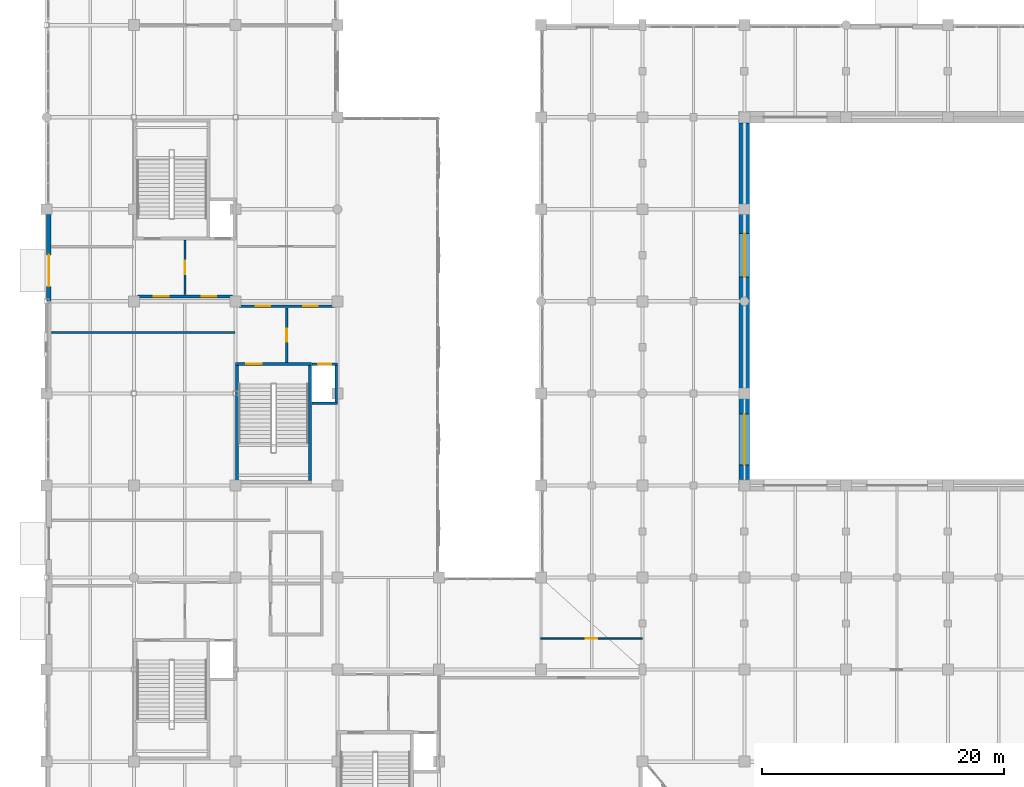
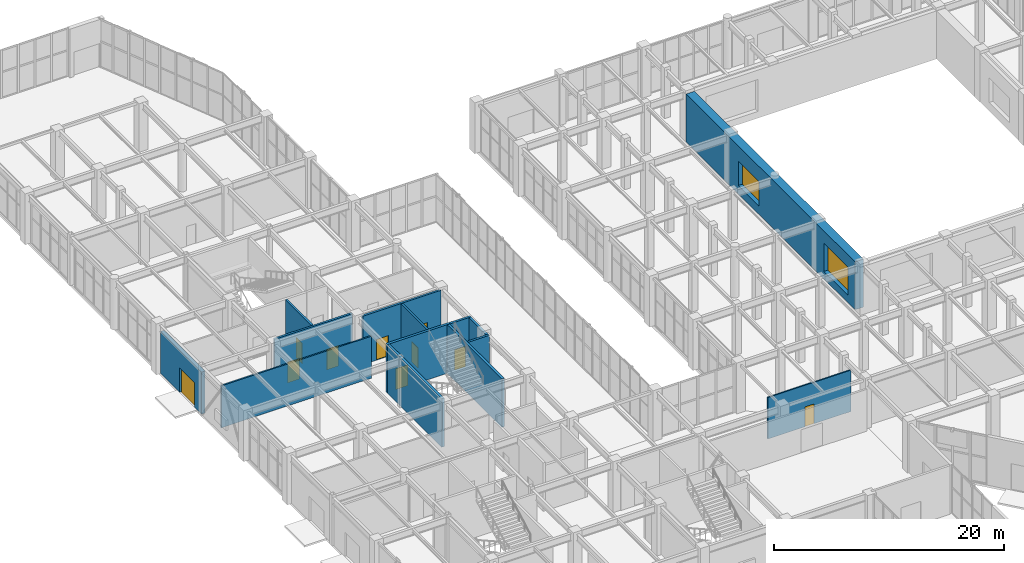
# One storey, part 120 of 139: 14 walls, 10 doors, 2 windows, 12 openings.
"""IFC4 building model written with IfcOpenShell, lengths in metres."""

from ifc_helpers import new_model, si_unit, direction, frame, frame_2d, origin, place, context, subcontext, project, spatial, rectangle, extrude, material, layer, layer_set, type_object, element, fill, save


model = new_model("IFC4")

# Units and contexts
model_context = context("Model", 3, precision=1e-05, world=origin(), true_north=direction((0.0, 1.0)))
body_context = subcontext(model_context, "Body", "Model", "MODEL_VIEW")
ifc_project = project(units=[si_unit("LENGTHUNIT", "METRE"), si_unit("AREAUNIT", "SQUARE_METRE"), si_unit("VOLUMEUNIT", "CUBIC_METRE"), si_unit("PLANEANGLEUNIT", "RADIAN"), si_unit("MASSUNIT", "GRAM", prefix="KILO")], contexts=[model_context])

# Site, building, storey
site_placement = place(None, origin())
site = spatial("IfcSite", under=ifc_project, at=site_placement, CompositionType="ELEMENT")
building_placement = place(site_placement, origin())
building = spatial("IfcBuilding", under=site, at=building_placement, Name="Xicomal Pleat Aquarium", CompositionType="ELEMENT")
storey_placement = place(building_placement, origin())
storey = spatial("IfcBuildingStorey", under=building, at=storey_placement, Name="L01", CompositionType="ELEMENT", Elevation=0.0)

# Wall
ifc_material_1 = material(Name="Concrete C40/50", Category="concrete")
ifc_layer_1 = layer(ifc_material_1, 0.219970703125)
ifc_layer_set_1 = layer_set([ifc_layer_1], Name="Concrete C40/50")
wall_type_1 = type_object("IfcWallType", Name="WAL-COR-220", PredefinedType="SHEAR", material=ifc_layer_set_1)
wall_1_placement = place(storey_placement, frame((24.89990234375, 52.389892578125, 0.0), z_axis=(0.0, 0.0, 1.0), x_axis=(1.0, 0.0, 0.0)))
element("IfcWall", 1, at=wall_1_placement, inside=storey, type_object=wall_type_1, Name="L01 LF-04 lift shaft wall CW-L01-C4-LS", PredefinedType="SHEAR", context=body_context, shape_type="SweptSolid", body=[
    extrude(rectangle(XDim=2.1201171875, YDim=0.219970703125, at=frame_2d((1.06005859375, 0.0))), origin(), (0.0, 0.0, 1.0), 5.159912109375),
])

# Wall, opening, door
wall_2_placement = place(storey_placement, frame((24.89990234375, 55.610107421875, 0.0), z_axis=(0.0, 0.0, 1.0), x_axis=(1.0, 0.0, 0.0)))
wall_2 = element("IfcWall", 2, at=wall_2_placement, inside=storey, type_object=wall_type_1, Name="L01 LF-04 lift shaft wall CW-L01-C4-LN", PredefinedType="SHEAR", context=body_context, shape_type="SweptSolid", body=[
    extrude(rectangle(XDim=2.1201171875, YDim=0.219970703125, at=frame_2d((1.06005859375, 0.0))), origin(), (0.0, 0.0, 1.0), 5.159912109375),
])
opening_1_placement = place(wall_2_placement, frame((0.510009765625, 0.0, 0.0)))
opening_1 = element("IfcOpeningElement", 3, at=opening_1_placement, cuts=wall_2, Name="Opening LD-04-L01", PredefinedType="OPENING", context=body_context, shape_type="SweptSolid", body=[
    extrude(rectangle(XDim=1.10009765625, YDim=2.14990234375, at=frame_2d((0.550048828125, 1.074951171875))), frame((0.0, 0.119873046875, 0.0), z_axis=(0.0, -1.0, 0.0), x_axis=(1.0, 0.0, 0.0)), (0.0, 0.0, 1.0), 0.239990234375),
])
ifc_material_2 = material(Name="Brushed stainless steel 304", Category="steel")
door_type_1 = type_object("IfcDoorType", Name="DOR-LD-1100x2150", OperationType="DOUBLE_DOOR_SLIDING", PredefinedType="DOOR", material=ifc_material_2)
door_1_placement = place(opening_1_placement, origin())
door_1 = element("IfcDoor", 4, at=door_1_placement, inside=storey, type_object=door_type_1, Name="L01 LF-04 sliding lift landing door", OperationType="DOUBLE_DOOR_SLIDING", OverallHeight=2.14990234375, OverallWidth=1.10009765625, PredefinedType="DOOR", context=body_context, shape_type="SweptSolid", body=[
    extrude(rectangle(XDim=1.10009765625, YDim=2.14990234375, at=frame_2d((0.550048828125, 1.074951171875))), frame((0.0, 0.02490234375, 0.0), z_axis=(0.0, -1.0, 0.0), x_axis=(1.0, 0.0, 0.0)), (0.0, 0.0, 1.0), 0.050048828125),
])
fill(opening_1, door_1)

# Wall
wall_3_placement = place(storey_placement, frame((26.909912109375, 52.5, 0.0), z_axis=(0.0, 0.0, 1.0), x_axis=(0.0, 1.0, 0.0)))
element("IfcWall", 5, at=wall_3_placement, inside=storey, type_object=wall_type_1, Name="L01 LF-04 lift shaft wall CW-L01-C4-LE", PredefinedType="SHEAR", context=body_context, shape_type="SweptSolid", body=[
    extrude(rectangle(XDim=3.0, YDim=0.219970703125, at=frame_2d((1.5, 0.0))), origin(), (0.0, 0.0, 1.0), 5.159912109375),
])

# Wall, opening, door
ifc_material_3 = material(Name="Concrete C40/50", Category="concrete")
ifc_layer_2 = layer(ifc_material_3, 0.25)
ifc_layer_set_2 = layer_set([ifc_layer_2], Name="Concrete C40/50")
wall_type_2 = type_object("IfcWallType", Name="WAL-COR-250", PredefinedType="SHEAR", material=ifc_layer_set_2)
wall_4_placement = place(storey_placement, frame((18.590087890625, 55.625, 0.0), z_axis=(0.0, 0.0, 1.0), x_axis=(1.0, 0.0, 0.0)))
wall_4 = element("IfcWall", 6, at=wall_4_placement, inside=storey, type_object=wall_type_2, Name="L01 CORE-4 stair shear wall CW-L01-C4-SN", PredefinedType="SHEAR", context=body_context, shape_type="SweptSolid", body=[
    extrude(rectangle(XDim=6.280029296875, YDim=0.25, at=frame_2d((3.14013671875, 0.0))), origin(), (0.0, 0.0, 1.0), 5.159912109375),
])
opening_2_placement = place(wall_4_placement, frame((0.89990234375, 0.0, 0.0)))
opening_2 = element("IfcOpeningElement", 7, at=opening_2_placement, cuts=wall_4, Name="Opening SD-04-L01", PredefinedType="OPENING", context=body_context, shape_type="SweptSolid", body=[
    extrude(rectangle(XDim=1.25, YDim=2.199951171875, at=frame_2d((0.625, 1.10009765625))), frame((0.0, 0.135009765625, 0.0), z_axis=(0.0, -1.0, 0.0), x_axis=(1.0, 0.0, 0.0)), (0.0, 0.0, 1.0), 0.27001953125),
])
ifc_material_4 = material(Name="Powder-coated steel fire door", Category="steel")
door_type_2 = type_object("IfcDoorType", Name="DOR-ST-1250x2200", OperationType="NOTDEFINED", PredefinedType="DOOR", material=ifc_material_4)
door_2_placement = place(opening_2_placement, origin())
door_2 = element("IfcDoor", 8, at=door_2_placement, inside=storey, type_object=door_type_2, Name="L01 ST-04 protected stair door", OperationType="SINGLE_SWING_RIGHT", OverallHeight=2.199951171875, OverallWidth=1.25, PredefinedType="DOOR", context=body_context, shape_type="SweptSolid", body=[
    extrude(rectangle(XDim=1.25, YDim=2.199951171875, at=frame_2d((0.625, 1.10009765625))), frame((0.0, 0.02490234375, 0.0), z_axis=(0.0, -1.0, 0.0), x_axis=(1.0, 0.0, 0.0)), (0.0, 0.0, 1.0), 0.050048828125),
])
fill(opening_2, door_2)

# Walls
for number, where, z_axis, x_axis, name in (
    (9, (18.715087890625, 46.0, 0.0), (0.0, 0.0, 1.0), (0.0, 1.0, 0.0), "L01 CORE-4 stair shear wall CW-L01-C4-SW"),
    (10, (24.7451171875, 46.0, 0.0), (0.0, 0.0, 1.0), (0.0, 1.0, 0.0), "L01 CORE-4 stair shear wall CW-L01-C4-SE"),
):
    element("IfcWall", number, at=place(storey_placement, frame(where, z_axis=z_axis, x_axis=x_axis)), inside=storey, type_object=wall_type_2, Name=name, PredefinedType="SHEAR", context=body_context, shape_type="SweptSolid", body=[
        extrude(rectangle(XDim=9.5, YDim=0.25, at=frame_2d((4.75, 0.0))), origin(), (0.0, 0.0, 1.0), 5.159912109375),
    ])

# Wall, opening, door
ifc_material_5 = material(Name="Volcanic basalt recinto masonry and concrete C40/50", Category="masonry")
ifc_layer_3 = layer(ifc_material_5, 0.364990234375)
ifc_layer_set_3 = layer_set([ifc_layer_3], Name="Volcanic basalt recinto masonry and concrete C40/50")
wall_type_3 = type_object("IfcWallType", Name="WAL-EXT-BAS-365", PredefinedType="SOLIDWALL", material=ifc_layer_set_3)
wall_5_placement = place(storey_placement, frame((3.18310546875, 60.820068359375, 0.0), z_axis=(0.0, 0.0, 1.0), x_axis=(0.0, 1.0, 0.0)))
wall_5 = element("IfcWall", 11, at=wall_5_placement, inside=storey, type_object=wall_type_3, Name="L01 exterior basalt-precast wall EW-L01-029", PredefinedType="SOLIDWALL", context=body_context, shape_type="SweptSolid", body=[
    extrude(rectangle(XDim=7.14501953125, YDim=0.364990234375, at=frame_2d((3.572509765625, 0.0))), origin(), (0.0, 0.0, 1.0), 4.4619140625),
])
opening_3_placement = place(wall_5_placement, frame((1.215087890625, 0.0, 0.0)))
opening_3 = element("IfcOpeningElement", 12, at=opening_3_placement, cuts=wall_5, Name="Opening EX-01", PredefinedType="OPENING", context=body_context, shape_type="SweptSolid", body=[
    extrude(rectangle(XDim=2.60009765625, YDim=2.60009765625, at=frame_2d((1.300048828125, 1.300048828125))), frame((0.0, 0.1923828125, 0.0), z_axis=(0.0, -1.0, 0.0), x_axis=(1.0, 0.0, 0.0)), (0.0, 0.0, 1.0), 0.385009765625),
])
ifc_material_6 = material(Name="Bronze anodized aluminium and laminated safety glass", Category="aluminium")
door_type_3 = type_object("IfcDoorType", Name="DOR-EX-2600x2600", OperationType="DOUBLE_DOOR_SINGLE_SWING", PredefinedType="DOOR", material=ifc_material_6)
door_3_placement = place(opening_3_placement, origin())
door_3 = element("IfcDoor", 13, at=door_3_placement, inside=storey, type_object=door_type_3, Name="Ground floor pedestrian final exit door EX-01", OperationType="DOUBLE_DOOR_SINGLE_SWING", OverallHeight=2.60009765625, OverallWidth=2.60009765625, PredefinedType="DOOR", context=body_context, shape_type="SweptSolid", body=[
    extrude(rectangle(XDim=2.60009765625, YDim=2.60009765625, at=frame_2d((1.300048828125, 1.300048828125))), frame((0.0, 0.02490234375, 0.0), z_axis=(0.0, -1.0, 0.0), x_axis=(1.0, 0.0, 0.0)), (0.0, 0.0, 1.0), 0.050048828125),
])
fill(opening_3, door_3)

ifc_material_7 = material(Name="Acoustic double-stud drywall partition", Category="gypsum")
ifc_layer_4 = layer(ifc_material_7, 0.132080078125)
ifc_layer_set_4 = layer_set([ifc_layer_4], Name="Acoustic double-stud drywall partition")
wall_type_4 = type_object("IfcWallType", Name="WAL-PRT-132", PredefinedType="PARTITIONING", material=ifc_layer_set_4)
wall_6_placement = place(storey_placement, frame((43.800048828125, 32.969970703125, 0.0), z_axis=(0.0, 0.0, 1.0), x_axis=(1.0, 0.0, 0.0)))
wall_6 = element("IfcWall", 14, at=wall_6_placement, inside=storey, type_object=wall_type_4, Name="L01 interior partition PT-L01-030", PredefinedType="PARTITIONING", context=body_context, shape_type="SweptSolid", body=[
    extrude(rectangle(XDim=8.3798828125, YDim=0.132080078125, at=frame_2d((4.18994140625, 0.0))), origin(), (0.0, 0.0, 1.0), 4.402099609375),
])
opening_4_placement = place(wall_6_placement, frame((3.715087890625, 0.0, 0.0)))
opening_4 = element("IfcOpeningElement", 15, at=opening_4_placement, cuts=wall_6, Name="Opening DR-L01-014", PredefinedType="OPENING", context=body_context, shape_type="SweptSolid", body=[
    extrude(rectangle(XDim=0.949951171875, YDim=2.10009765625, at=frame_2d((0.47509765625, 1.050048828125))), frame((0.0, 0.075927734375, 0.0), z_axis=(0.0, -1.0, 0.0), x_axis=(1.0, 0.0, 0.0)), (0.0, 0.0, 1.0), 0.152099609375),
])
ifc_material_8 = material(Name="Solid-core hardwood and anodized aluminium frame", Category="wood")
door_type_4 = type_object("IfcDoorType", Name="DOR-WC-0950x2100", OperationType="NOTDEFINED", PredefinedType="DOOR", material=ifc_material_8)
door_4_placement = place(opening_4_placement, origin())
door_4 = element("IfcDoor", 16, at=door_4_placement, inside=storey, type_object=door_type_4, Name="L01 Main Ocean Tank Viewing Gallery door DR-L01-014", OperationType="SINGLE_SWING_RIGHT", OverallHeight=2.10009765625, OverallWidth=0.949951171875, PredefinedType="DOOR", context=body_context, shape_type="SweptSolid", body=[
    extrude(rectangle(XDim=0.949951171875, YDim=2.10009765625, at=frame_2d((0.47509765625, 1.050048828125))), frame((0.0, 0.02490234375, 0.0), z_axis=(0.0, -1.0, 0.0), x_axis=(1.0, 0.0, 0.0)), (0.0, 0.0, 1.0), 0.050048828125),
])
fill(opening_4, door_4)

# Wall
ifc_material_9 = material(Name="Water-resistant cement-board wet-lab partition", Category="gypsum")
ifc_layer_5 = layer(ifc_material_9, 0.14990234375)
ifc_layer_set_5 = layer_set([ifc_layer_5], Name="Water-resistant cement-board wet-lab partition")
wall_type_5 = type_object("IfcWallType", Name="WAL-PRT-150", PredefinedType="PARTITIONING", material=ifc_layer_set_5)
wall_7_placement = place(storey_placement, frame((18.5400390625, 58.22998046875, 0.0), z_axis=(0.0, 0.0, 1.0), x_axis=(-1.0, 0.0, 0.0)))
element("IfcWall", 17, at=wall_7_placement, inside=storey, type_object=wall_type_5, Name="L01 interior partition PT-L01-027", PredefinedType="PARTITIONING", context=body_context, shape_type="SweptSolid", body=[
    extrude(rectangle(XDim=15.10009765625, YDim=0.14990234375, at=frame_2d((7.550048828125, 0.0))), origin(), (0.0, 0.0, 1.0), 4.4619140625),
])

# Wall, opening, door
ifc_material_10 = material(Name="Acoustic double-stud drywall partition", Category="gypsum")
ifc_layer_6 = layer(ifc_material_10, 0.195068359375)
ifc_layer_set_6 = layer_set([ifc_layer_6], Name="Acoustic double-stud drywall partition")
wall_type_6 = type_object("IfcWallType", Name="WAL-PRT-195", PredefinedType="PARTITIONING", material=ifc_layer_set_6)
wall_8_placement = place(storey_placement, frame((14.425048828125, 61.35009765625, 0.0), z_axis=(0.0, 0.0, 1.0), x_axis=(0.0, 1.0, 0.0)))
wall_8 = element("IfcWall", 18, at=wall_8_placement, inside=storey, type_object=wall_type_6, Name="L01 firefighting lobby smoke divider 3", PredefinedType="PARTITIONING", context=body_context, shape_type="SweptSolid", body=[
    extrude(rectangle(XDim=4.5, YDim=0.195068359375, at=frame_2d((2.25, 0.0))), origin(), (0.0, 0.0, 1.0), 5.159912109375),
])
opening_5_placement = place(wall_8_placement, frame((1.699951171875, 0.0, 0.0)))
opening_5 = element("IfcOpeningElement", 19, at=opening_5_placement, cuts=wall_8, Name="Opening FD-03C-L01", PredefinedType="OPENING", context=body_context, shape_type="SweptSolid", body=[
    extrude(rectangle(XDim=1.10009765625, YDim=2.14990234375, at=frame_2d((0.550048828125, 1.074951171875))), frame((0.0, 0.107421875, 0.0), z_axis=(0.0, -1.0, 0.0), x_axis=(1.0, 0.0, 0.0)), (0.0, 0.0, 1.0), 0.215087890625),
])
ifc_material_11 = material(Name="Powder-coated steel fire door", Category="steel")
door_type_5 = type_object("IfcDoorType", Name="DOR-LAB-1100x2150", OperationType="NOTDEFINED", PredefinedType="DOOR", material=ifc_material_11)
door_5_placement = place(opening_5_placement, origin())
door_5 = element("IfcDoor", 20, at=door_5_placement, inside=storey, type_object=door_type_5, Name="L01 lobby interconnecting fire door 3C", OperationType="SINGLE_SWING_RIGHT", OverallHeight=2.14990234375, OverallWidth=1.10009765625, PredefinedType="DOOR", context=body_context, shape_type="SweptSolid", body=[
    extrude(rectangle(XDim=1.10009765625, YDim=2.14990234375, at=frame_2d((0.550048828125, 1.074951171875))), frame((0.0, 0.02490234375, 0.0), z_axis=(0.0, -1.0, 0.0), x_axis=(1.0, 0.0, 0.0)), (0.0, 0.0, 1.0), 0.050048828125),
])
fill(opening_5, door_5)

wall_9_placement = place(storey_placement, frame((22.824951171875, 55.75, 0.0), z_axis=(0.0, 0.0, 1.0), x_axis=(0.0, 1.0, 0.0)))
wall_9 = element("IfcWall", 21, at=wall_9_placement, inside=storey, type_object=wall_type_6, Name="L01 firefighting lobby smoke divider 4", PredefinedType="PARTITIONING", context=body_context, shape_type="SweptSolid", body=[
    extrude(rectangle(XDim=4.5, YDim=0.195068359375, at=frame_2d((2.25, 0.0))), origin(), (0.0, 0.0, 1.0), 5.159912109375),
])
opening_6_placement = place(wall_9_placement, frame((1.699951171875, 0.0, 0.0)))
opening_6 = element("IfcOpeningElement", 22, at=opening_6_placement, cuts=wall_9, Name="Opening FD-04C-L01", PredefinedType="OPENING", context=body_context, shape_type="SweptSolid", body=[
    extrude(rectangle(XDim=1.10009765625, YDim=2.14990234375, at=frame_2d((0.550048828125, 1.074951171875))), frame((0.0, 0.107421875, 0.0), z_axis=(0.0, -1.0, 0.0), x_axis=(1.0, 0.0, 0.0)), (0.0, 0.0, 1.0), 0.215087890625),
])
door_6_placement = place(opening_6_placement, origin())
door_6 = element("IfcDoor", 23, at=door_6_placement, inside=storey, type_object=door_type_5, Name="L01 lobby interconnecting fire door 4C", OperationType="SINGLE_SWING_RIGHT", OverallHeight=2.14990234375, OverallWidth=1.10009765625, PredefinedType="DOOR", context=body_context, shape_type="SweptSolid", body=[
    extrude(rectangle(XDim=1.10009765625, YDim=2.14990234375, at=frame_2d((0.550048828125, 1.074951171875))), frame((0.0, 0.02490234375, 0.0), z_axis=(0.0, -1.0, 0.0), x_axis=(1.0, 0.0, 0.0)), (0.0, 0.0, 1.0), 0.050048828125),
])
fill(opening_6, door_6)

# Wall, openings, doors
ifc_material_12 = material(Name="Fire-rated gypsum and mineral-wool partition", Category="gypsum")
ifc_layer_7 = layer(ifc_material_12, 0.2099609375)
ifc_layer_set_7 = layer_set([ifc_layer_7], Name="Fire-rated gypsum and mineral-wool partition")
wall_type_7 = type_object("IfcWallType", Name="WAL-PRT-210", PredefinedType="PARTITIONING", material=ifc_layer_set_7)
wall_10_placement = place(storey_placement, frame((10.5, 61.199951171875, 0.0), z_axis=(0.0, 0.0, 1.0), x_axis=(1.0, 0.0, 0.0)))
wall_10 = element("IfcWall", 24, at=wall_10_placement, inside=storey, type_object=wall_type_7, Name="L01 CORE-3 lobby fire enclosure wall", PredefinedType="PARTITIONING", context=body_context, shape_type="SweptSolid", body=[
    extrude(rectangle(XDim=7.85009765625, YDim=0.2099609375, at=frame_2d((3.925048828125, 0.0))), origin(), (0.0, 0.0, 1.0), 5.159912109375),
])
opening_7_placement = place(wall_10_placement, frame((1.362060546875, 0.0, 0.0)))
opening_7 = element("IfcOpeningElement", 25, at=opening_7_placement, cuts=wall_10, Name="Opening FD-03A-L01", PredefinedType="OPENING", context=body_context, shape_type="SweptSolid", body=[
    extrude(rectangle(XDim=1.199951171875, YDim=2.199951171875, at=frame_2d((0.60009765625, 1.10009765625))), frame((0.0, 0.114990234375, 0.0), z_axis=(0.0, -1.0, 0.0), x_axis=(1.0, 0.0, 0.0)), (0.0, 0.0, 1.0), 0.22998046875),
])
opening_8_placement = place(wall_10_placement, frame((5.287109375, 0.0, 0.0)))
opening_8 = element("IfcOpeningElement", 26, at=opening_8_placement, cuts=wall_10, Name="Opening FD-03B-L01", PredefinedType="OPENING", context=body_context, shape_type="SweptSolid", body=[
    extrude(rectangle(XDim=1.199951171875, YDim=2.199951171875, at=frame_2d((0.60009765625, 1.10009765625))), frame((0.0, 0.114990234375, 0.0), z_axis=(0.0, -1.0, 0.0), x_axis=(1.0, 0.0, 0.0)), (0.0, 0.0, 1.0), 0.22998046875),
])
ifc_material_13 = material(Name="Powder-coated steel fire door", Category="steel")
door_type_6 = type_object("IfcDoorType", Name="DOR-FFL-1200x2200", OperationType="NOTDEFINED", PredefinedType="DOOR", material=ifc_material_13)
door_7_placement = place(opening_7_placement, origin())
door_7 = element("IfcDoor", 27, at=door_7_placement, inside=storey, type_object=door_type_6, Name="L01 firefighting lobby door 3A", OperationType="SINGLE_SWING_RIGHT", OverallHeight=2.199951171875, OverallWidth=1.199951171875, PredefinedType="DOOR", context=body_context, shape_type="SweptSolid", body=[
    extrude(rectangle(XDim=1.199951171875, YDim=2.199951171875, at=frame_2d((0.60009765625, 1.10009765625))), frame((0.0, 0.02490234375, 0.0), z_axis=(0.0, -1.0, 0.0), x_axis=(1.0, 0.0, 0.0)), (0.0, 0.0, 1.0), 0.050048828125),
])
fill(opening_7, door_7)
door_8_placement = place(opening_8_placement, origin())
door_8 = element("IfcDoor", 28, at=door_8_placement, inside=storey, type_object=door_type_6, Name="L01 lift lobby door 3B", OperationType="SINGLE_SWING_LEFT", OverallHeight=2.199951171875, OverallWidth=1.199951171875, PredefinedType="DOOR", context=body_context, shape_type="SweptSolid", body=[
    extrude(rectangle(XDim=1.199951171875, YDim=2.199951171875, at=frame_2d((0.60009765625, 1.10009765625))), frame((0.0, 0.02490234375, 0.0), z_axis=(0.0, -1.0, 0.0), x_axis=(1.0, 0.0, 0.0)), (0.0, 0.0, 1.0), 0.050048828125),
])
fill(opening_8, door_8)

wall_11_placement = place(storey_placement, frame((18.89990234375, 60.39990234375, 0.0), z_axis=(0.0, 0.0, 1.0), x_axis=(1.0, 0.0, 0.0)))
wall_11 = element("IfcWall", 29, at=wall_11_placement, inside=storey, type_object=wall_type_7, Name="L01 CORE-4 lobby fire enclosure wall", PredefinedType="PARTITIONING", context=body_context, shape_type="SweptSolid", body=[
    extrude(rectangle(XDim=7.85009765625, YDim=0.2099609375, at=frame_2d((3.925048828125, 0.0))), origin(), (0.0, 0.0, 1.0), 5.159912109375),
])
opening_9_placement = place(wall_11_placement, frame((1.362060546875, 0.0, 0.0)))
opening_9 = element("IfcOpeningElement", 30, at=opening_9_placement, cuts=wall_11, Name="Opening FD-04A-L01", PredefinedType="OPENING", context=body_context, shape_type="SweptSolid", body=[
    extrude(rectangle(XDim=1.199951171875, YDim=2.199951171875, at=frame_2d((0.60009765625, 1.10009765625))), frame((0.0, 0.114990234375, 0.0), z_axis=(0.0, -1.0, 0.0), x_axis=(1.0, 0.0, 0.0)), (0.0, 0.0, 1.0), 0.22998046875),
])
opening_10_placement = place(wall_11_placement, frame((5.287109375, 0.0, 0.0)))
opening_10 = element("IfcOpeningElement", 31, at=opening_10_placement, cuts=wall_11, Name="Opening FD-04B-L01", PredefinedType="OPENING", context=body_context, shape_type="SweptSolid", body=[
    extrude(rectangle(XDim=1.199951171875, YDim=2.199951171875, at=frame_2d((0.60009765625, 1.10009765625))), frame((0.0, 0.114990234375, 0.0), z_axis=(0.0, -1.0, 0.0), x_axis=(1.0, 0.0, 0.0)), (0.0, 0.0, 1.0), 0.22998046875),
])
door_9_placement = place(opening_9_placement, origin())
door_9 = element("IfcDoor", 32, at=door_9_placement, inside=storey, type_object=door_type_6, Name="L01 firefighting lobby door 4A", OperationType="SINGLE_SWING_RIGHT", OverallHeight=2.199951171875, OverallWidth=1.199951171875, PredefinedType="DOOR", context=body_context, shape_type="SweptSolid", body=[
    extrude(rectangle(XDim=1.199951171875, YDim=2.199951171875, at=frame_2d((0.60009765625, 1.10009765625))), frame((0.0, 0.02490234375, 0.0), z_axis=(0.0, -1.0, 0.0), x_axis=(1.0, 0.0, 0.0)), (0.0, 0.0, 1.0), 0.050048828125),
])
fill(opening_9, door_9)
door_10_placement = place(opening_10_placement, origin())
door_10 = element("IfcDoor", 33, at=door_10_placement, inside=storey, type_object=door_type_6, Name="L01 lift lobby door 4B", OperationType="SINGLE_SWING_LEFT", OverallHeight=2.199951171875, OverallWidth=1.199951171875, PredefinedType="DOOR", context=body_context, shape_type="SweptSolid", body=[
    extrude(rectangle(XDim=1.199951171875, YDim=2.199951171875, at=frame_2d((0.60009765625, 1.10009765625))), frame((0.0, 0.02490234375, 0.0), z_axis=(0.0, -1.0, 0.0), x_axis=(1.0, 0.0, 0.0)), (0.0, 0.0, 1.0), 0.050048828125),
])
fill(opening_10, door_10)

# Wall, openings, windows
ifc_material_14 = material(Name="Concrete C45/55", Category="concrete")
ifc_layer_8 = layer(ifc_material_14, 0.85009765625)
ifc_layer_set_8 = layer_set([ifc_layer_8], Name="Concrete C45/55")
wall_type_8 = type_object("IfcWallType", Name="WAL-TANK-850", PredefinedType="SHEAR", material=ifc_layer_set_8)
wall_12_placement = place(storey_placement, frame((60.60009765625, 46.094970703125, 0.0), z_axis=(0.0, 0.0, 1.0), x_axis=(0.0, 1.0, 0.0)))
wall_12 = element("IfcWall", 34, at=wall_12_placement, inside=storey, type_object=wall_type_8, Name="Main ocean tank hydrostatic wall TW-L01-W", PredefinedType="SHEAR", context=body_context, shape_type="SweptSolid", body=[
    extrude(rectangle(XDim=29.409912109375, YDim=0.85009765625, at=frame_2d((14.705078125, 0.0))), origin(), (0.0, 0.0, 1.0), 5.10009765625),
])
opening_11_placement = place(wall_12_placement, frame((1.199951171875, 0.0, 0.800048828125)))
opening_11 = element("IfcOpeningElement", 35, at=opening_11_placement, cuts=wall_12, Name="Opening AW-04", PredefinedType="OPENING", context=body_context, shape_type="SweptSolid", body=[
    extrude(rectangle(XDim=4.199951171875, YDim=3.0, at=frame_2d((2.10009765625, 1.5))), frame((0.0, 0.43505859375, 0.0), z_axis=(0.0, -1.0, 0.0), x_axis=(1.0, 0.0, 0.0)), (0.0, 0.0, 1.0), 0.8701171875),
])
opening_12_placement = place(wall_12_placement, frame((16.699951171875, 0.0, 0.89990234375)))
opening_12 = element("IfcOpeningElement", 36, at=opening_12_placement, cuts=wall_12, Name="Opening AW-05", PredefinedType="OPENING", context=body_context, shape_type="SweptSolid", body=[
    extrude(rectangle(XDim=3.60009765625, YDim=2.60009765625, at=frame_2d((1.800048828125, 1.300048828125))), frame((0.0, 0.43505859375, 0.0), z_axis=(0.0, -1.0, 0.0), x_axis=(1.0, 0.0, 0.0)), (0.0, 0.0, 1.0), 0.8701171875),
])
ifc_material_15 = material(Name="Cast PMMA acrylic viewing glazing", Category="glass")
window_type_1 = type_object("IfcWindowType", Name="WIN-PMMA-3600x2600", PartitioningType="SINGLE_PANEL", PredefinedType="WINDOW", material=ifc_material_15)
window_1_placement = place(opening_12_placement, origin())
window_1 = element("IfcWindow", 37, at=window_1_placement, inside=storey, type_object=window_type_1, Name="L01 cast PMMA acrylic ocean tank window AW-L01-W2", OverallHeight=2.60009765625, OverallWidth=3.60009765625, PartitioningType="SINGLE_PANEL", PredefinedType="WINDOW", context=body_context, shape_type="SweptSolid", body=[
    extrude(rectangle(XDim=3.60009765625, YDim=2.60009765625, at=frame_2d((1.800048828125, 1.300048828125))), frame((0.0, 0.030029296875, 0.0), z_axis=(0.0, -1.0, 0.0), x_axis=(1.0, 0.0, 0.0)), (0.0, 0.0, 1.0), 0.06005859375),
])
fill(opening_12, window_1)
ifc_material_16 = material(Name="Cast PMMA acrylic viewing glazing", Category="glass")
window_type_2 = type_object("IfcWindowType", Name="WIN-PMMA-4200x3000", PartitioningType="SINGLE_PANEL", PredefinedType="WINDOW", material=ifc_material_16)
window_2_placement = place(opening_11_placement, origin())
window_2 = element("IfcWindow", 38, at=window_2_placement, inside=storey, type_object=window_type_2, Name="L01 cast PMMA acrylic ocean tank window AW-L01-W1", OverallHeight=3.0, OverallWidth=4.199951171875, PartitioningType="SINGLE_PANEL", PredefinedType="WINDOW", context=body_context, shape_type="SweptSolid", body=[
    extrude(rectangle(XDim=4.199951171875, YDim=3.0, at=frame_2d((2.10009765625, 1.5))), frame((0.0, 0.030029296875, 0.0), z_axis=(0.0, -1.0, 0.0), x_axis=(1.0, 0.0, 0.0)), (0.0, 0.0, 1.0), 0.06005859375),
])
fill(opening_11, window_2)

save(model, "model.ifc")
